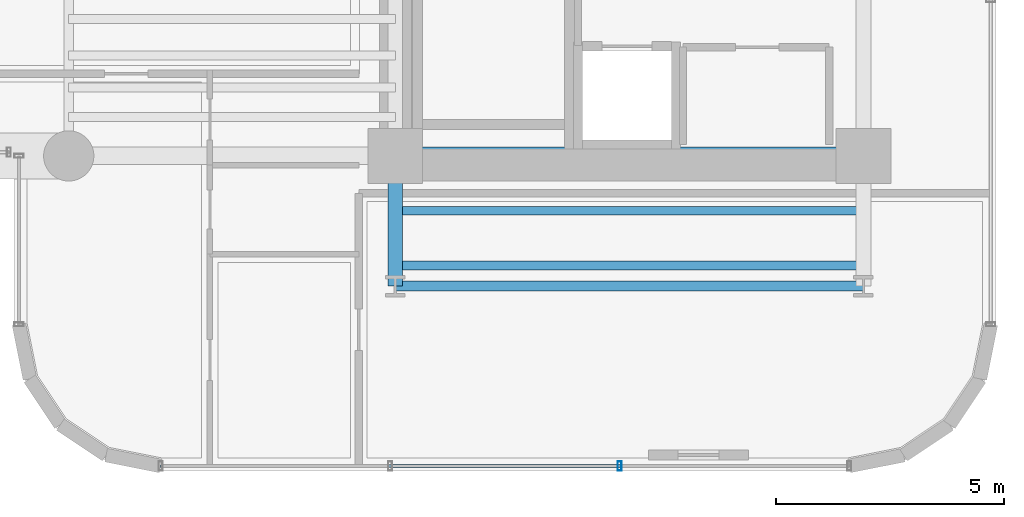
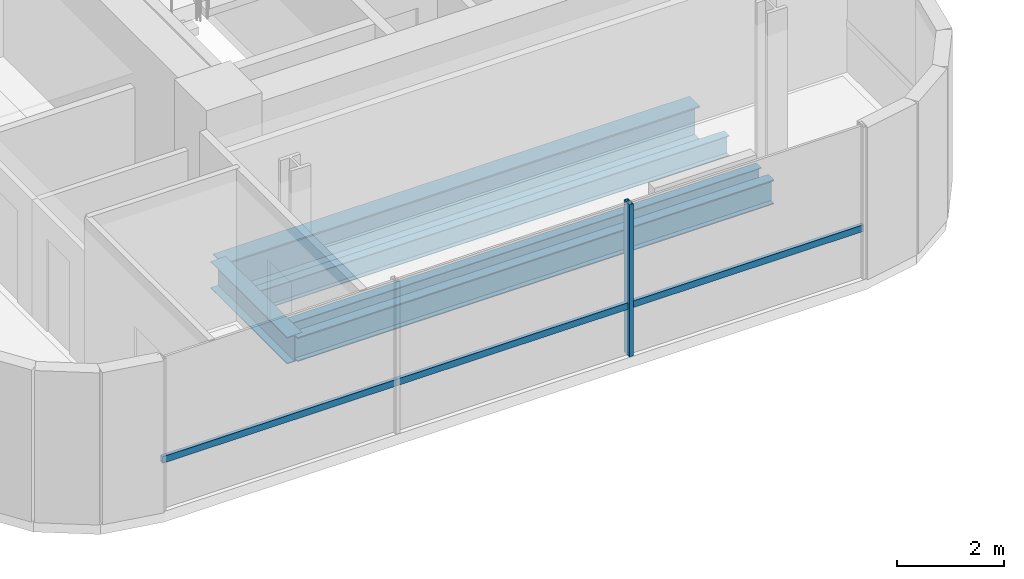
# One storey, part 3 of 37: 5 beams, 2 members, 1 element without a shape of its own.
"""IFC4 building model written with IfcOpenShell, lengths in metres."""

from ifc_helpers import new_model, si_unit, direction, frame, origin, origin_2d, place, context, subcontext, project, spatial, hollow_rectangle, i_section, extrude, source, transform, mapped, material, material_profile, profile_set, type_object, element, aggregate, save


model = new_model("IFC4")

# Units and contexts
model_context = context("Model", 3, precision=1e-05, world=origin(), true_north=direction((0.0, 1.0)))
body_context = subcontext(model_context, "Body", "Model", "MODEL_VIEW")
ifc_project = project(units=[si_unit("LENGTHUNIT", "METRE"), si_unit("AREAUNIT", "SQUARE_METRE"), si_unit("VOLUMEUNIT", "CUBIC_METRE"), si_unit("PLANEANGLEUNIT", "RADIAN"), si_unit("MASSUNIT", "GRAM", prefix="KILO")], contexts=[model_context])

# Site, building, storey
site_placement = place(None, origin())
site = spatial("IfcSite", under=ifc_project, at=site_placement, CompositionType="ELEMENT")
building_placement = place(site_placement, origin())
building = spatial("IfcBuilding", under=site, at=building_placement, Name="Valdorenza Pilgrim Sanctuary Tower", CompositionType="ELEMENT")
storey_placement = place(building_placement, frame((0.0, 0.0, 127.89990234375)))
storey = spatial("IfcBuildingStorey", under=building, at=storey_placement, Name="L32", CompositionType="ELEMENT", Elevation=127.89990234375)

# Beams
ifc_material_1 = material(Name="Steel ASTM A992 Grade 50", Category="steel")
ifc_material_profile_1 = material_profile(ifc_material_1, i_section(OverallWidth=0.214111328125, OverallDepth=0.549072265625, WebThickness=0.0146484375, FlangeThickness=0.023681640625, at=origin_2d()), Name="W21X93")
ifc_profile_set_1 = profile_set([ifc_material_profile_1], Name="Steel ASTM A992 Grade 50")
beam_type_1 = type_object("IfcBeamType", Name="STR-BM-SPN-W21A", PredefinedType="SPANDREL", material=ifc_profile_set_1)
shared_shape_1 = source(origin(), body_context, "Body", "SweptSolid", [
    extrude(i_section(OverallWidth=0.214111328125, OverallDepth=0.549072265625, WebThickness=0.0146484375, FlangeThickness=0.023681640625, at=origin_2d()), origin(), (0.0, 0.0, 1.0), 10.25),
])
beam_1_placement = place(storey_placement, frame((-22.64990234375, -13.449951171875, -0.514404296875), z_axis=(1.0, 0.0, 0.0), x_axis=(0.0, 1.0, 0.0)))
element("IfcBeam", 1, at=beam_1_placement, inside=storey, type_object=beam_type_1, Name="L32 South Spandrel WA-S-TIE", PredefinedType="SPANDREL", context=body_context, shape_type="MappedRepresentation", body=[
    mapped(shared_shape_1, transform((0.0, 0.0, 0.0), x_axis=(1.0, 0.0, 0.0), y_axis=(0.0, 1.0, 0.0), z_axis=(0.0, 0.0, 1.0), scale=1.0)),
])
ifc_material_profile_2 = material_profile(ifc_material_1, i_section(OverallWidth=0.323974609375, OverallDepth=0.611083984375, WebThickness=0.0126953125, FlangeThickness=0.01904296875, at=origin_2d()), Name="W24X104")
ifc_profile_set_2 = profile_set([ifc_material_profile_2], Name="Steel ASTM A992 Grade 50")
beam_type_2 = type_object("IfcBeamType", Name="STR-BM-GRD-W24B", PredefinedType="BEAM", material=ifc_profile_set_2)
shared_shape_2 = source(origin(), body_context, "Body", "SweptSolid", [
    extrude(i_section(OverallWidth=0.323974609375, OverallDepth=0.611083984375, WebThickness=0.0126953125, FlangeThickness=0.01904296875, at=origin_2d()), origin(), (0.0, 0.0, 1.0), 2.849853515625),
])
beam_2_placement = place(storey_placement, frame((-22.64990234375, -13.449951171875, -0.54541015625), z_axis=(0.0, 1.0, 0.0), x_axis=(-1.0, 0.0, 0.0)))
element("IfcBeam", 2, at=beam_2_placement, inside=storey, type_object=beam_type_2, Name="L32 Floor Girder WA-S-LW", PredefinedType="BEAM", context=body_context, shape_type="MappedRepresentation", body=[
    mapped(shared_shape_2, transform((0.0, 0.0, 0.0), x_axis=(1.0, 0.0, 0.0), y_axis=(0.0, 1.0, 0.0), z_axis=(0.0, 0.0, 1.0), scale=1.0)),
])
ifc_material_profile_3 = material_profile(ifc_material_1, i_section(OverallWidth=0.382080078125, OverallDepth=0.779052734375, WebThickness=0.01806640625, FlangeThickness=0.030029296875, at=origin_2d()), Name="W30X191")
ifc_profile_set_3 = profile_set([ifc_material_profile_3], Name="Steel ASTM A992 Grade 50")
beam_type_3 = type_object("IfcBeamType", Name="STR-BM-GRD-W30", PredefinedType="BEAM", material=ifc_profile_set_3)
shared_shape_3 = source(origin(), body_context, "Body", "SweptSolid", [
    extrude(i_section(OverallWidth=0.382080078125, OverallDepth=0.779052734375, WebThickness=0.01806640625, FlangeThickness=0.030029296875, at=origin_2d()), origin(), (0.0, 0.0, 1.0), 10.25),
])
beam_3_placement = place(storey_placement, frame((-22.64990234375, -10.60009765625, -0.62939453125), z_axis=(1.0, 0.0, 0.0), x_axis=(0.0, 1.0, 0.0)))
element("IfcBeam", 3, at=beam_3_placement, inside=storey, type_object=beam_type_3, Name="L32 Floor Girder CA-XC-S1", PredefinedType="BEAM", context=body_context, shape_type="MappedRepresentation", body=[
    mapped(shared_shape_3, transform((0.0, 0.0, 0.0), x_axis=(1.0, 0.0, 0.0), y_axis=(0.0, 1.0, 0.0), z_axis=(0.0, 0.0, 1.0), scale=1.0)),
])
ifc_material_profile_4 = material_profile(ifc_material_1, i_section(OverallWidth=0.19091796875, OverallDepth=0.45703125, WebThickness=0.009033203125, FlangeThickness=0.014404296875, at=origin_2d()), Name="W18X50")
ifc_profile_set_4 = profile_set([ifc_material_profile_4], Name="Steel ASTM A992 Grade 50")
beam_type_4 = type_object("IfcBeamType", Name="STR-BM-JST-W18B", PredefinedType="JOIST", material=ifc_profile_set_4)
shared_shape_4 = source(origin(), body_context, "Body", "SweptSolid", [
    extrude(i_section(OverallWidth=0.19091796875, OverallDepth=0.45703125, WebThickness=0.009033203125, FlangeThickness=0.014404296875, at=origin_2d()), origin(), (0.0, 0.0, 1.0), 10.25),
])
for number, where, z_axis, x_axis, name in (
    (4, (-22.64990234375, -13.0, -0.468505859375), (1.0, 0.0, 0.0), (0.0, 1.0, 0.0), "L32 Composite Floor Joist JST-WAS-1"),
    (5, (-22.64990234375, -11.800048828125, -0.468505859375), (1.0, 0.0, 0.0), (0.0, 1.0, 0.0), "L32 Composite Floor Joist JST-WAS-2"),
):
    element("IfcBeam", number, at=place(storey_placement, frame(where, z_axis=z_axis, x_axis=x_axis)), inside=storey, type_object=beam_type_4, Name=name, PredefinedType="JOIST", context=body_context, shape_type="MappedRepresentation", body=[
        mapped(shared_shape_4, transform((0.0, 0.0, 0.0), x_axis=(1.0, 0.0, 0.0), y_axis=(0.0, 1.0, 0.0), z_axis=(0.0, 0.0, 1.0), scale=1.0)),
    ])

# Curtain wall, members
ifc_material_2 = material(Name="Curtain-wall IGU glazing", Category="glass")
curtain_wall_type = type_object("IfcCurtainWallType", Name="CW-SYS-02", PredefinedType="NOTDEFINED", material=ifc_material_2)
curtain_wall_placement = place(storey_placement, origin())
curtain_wall = element("IfcCurtainWall", 6, at=curtain_wall_placement, inside=storey, type_object=curtain_wall_type, Name="L32 Curtain Wall CW-L32-1-46", PredefinedType="NOTDEFINED")
ifc_material_3 = material(Name="Anodised aluminium AW-6060", Category="aluminium")
ifc_material_profile_5 = material_profile(ifc_material_3, hollow_rectangle(XDim=0.0849609375, YDim=0.199951171875, WallThickness=0.0048828125, at=origin_2d()), Name="ALU-M 200x85x5")
ifc_profile_set_5 = profile_set([ifc_material_profile_5], Name="Anodised aluminium AW-6060")
member_type_1 = type_object("IfcMemberType", Name="CW-MUL-02", PredefinedType="MULLION", material=ifc_profile_set_5)
shared_shape_5 = source(origin(), body_context, "Body", "SweptSolid", [
    extrude(hollow_rectangle(XDim=0.0849609375, YDim=0.199951171875, WallThickness=0.0048828125, at=origin_2d()), origin(), (0.0, 0.0, 1.0), 3.460205078125),
])
member_1_placement = place(storey_placement, frame((-17.73681640625, -17.389892578125, 0.0), z_axis=(0.0, 0.0, 1.0), x_axis=(-1.0, 0.0, 0.0)))
member_1 = element("IfcMember", 7, at=member_1_placement, type_object=member_type_1, Name="CW-L32-1-46 Mullion 2", PredefinedType="MULLION", context=body_context, shape_type="MappedRepresentation", body=[
    mapped(shared_shape_5, transform((0.0, 0.0, 0.0), x_axis=(1.0, 0.0, 0.0), y_axis=(0.0, 1.0, 0.0), z_axis=(0.0, 0.0, 1.0), scale=1.0)),
])
ifc_material_profile_6 = material_profile(ifc_material_3, hollow_rectangle(XDim=0.074951171875, YDim=0.14990234375, WallThickness=0.00390625, at=origin_2d()), Name="ALU-T 150x75x4")
ifc_profile_set_6 = profile_set([ifc_material_profile_6], Name="Anodised aluminium AW-6060")
member_type_2 = type_object("IfcMemberType", Name="CW-TRN-02", PredefinedType="USERDEFINED", material=ifc_profile_set_6)
shared_shape_6 = source(origin(), body_context, "Body", "SweptSolid", [
    extrude(hollow_rectangle(XDim=0.074951171875, YDim=0.14990234375, WallThickness=0.00390625, at=origin_2d()), origin(), (0.0, 0.0, 1.0), 15.07861328125),
])
member_2_placement = place(storey_placement, frame((-12.710693359375, -17.389892578125, 1.1201171875), z_axis=(-1.0, 0.0, 0.0), x_axis=(0.0, -1.0, 0.0)))
member_2 = element("IfcMember", 8, at=member_2_placement, type_object=member_type_2, Name="CW-L32-1-46 Transom 1", ObjectType="TRANSOM", PredefinedType="USERDEFINED", context=body_context, shape_type="MappedRepresentation", body=[
    mapped(shared_shape_6, transform((0.0, 0.0, 0.0), x_axis=(1.0, 0.0, 0.0), y_axis=(0.0, 1.0, 0.0), z_axis=(0.0, 0.0, 1.0), scale=1.0)),
])
aggregate(curtain_wall, [member_1, member_2])

save(model, "model.ifc")
